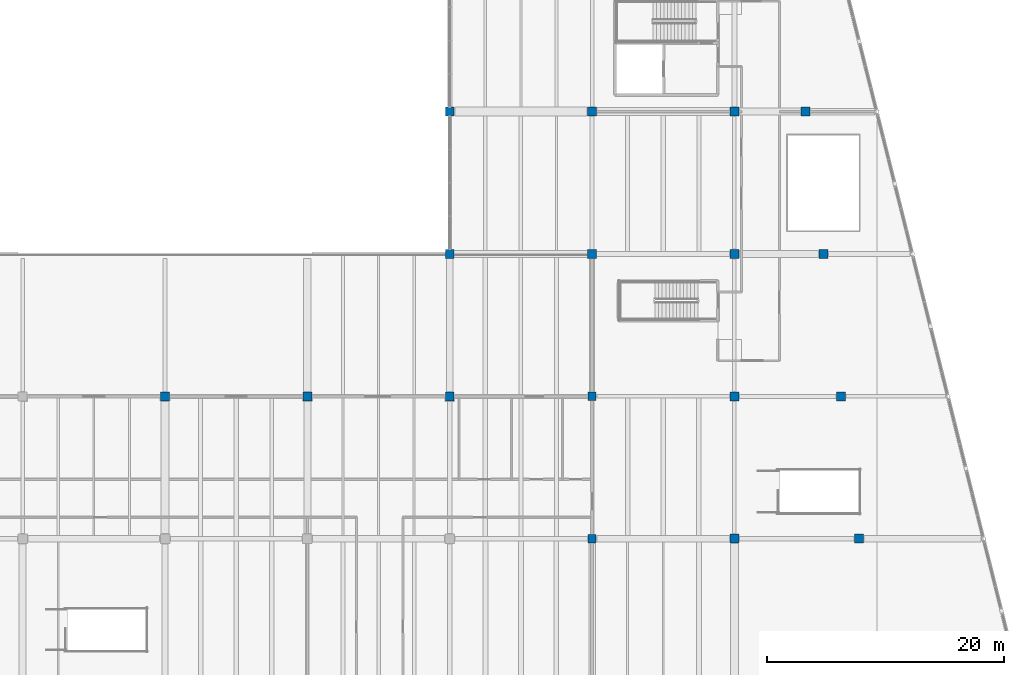
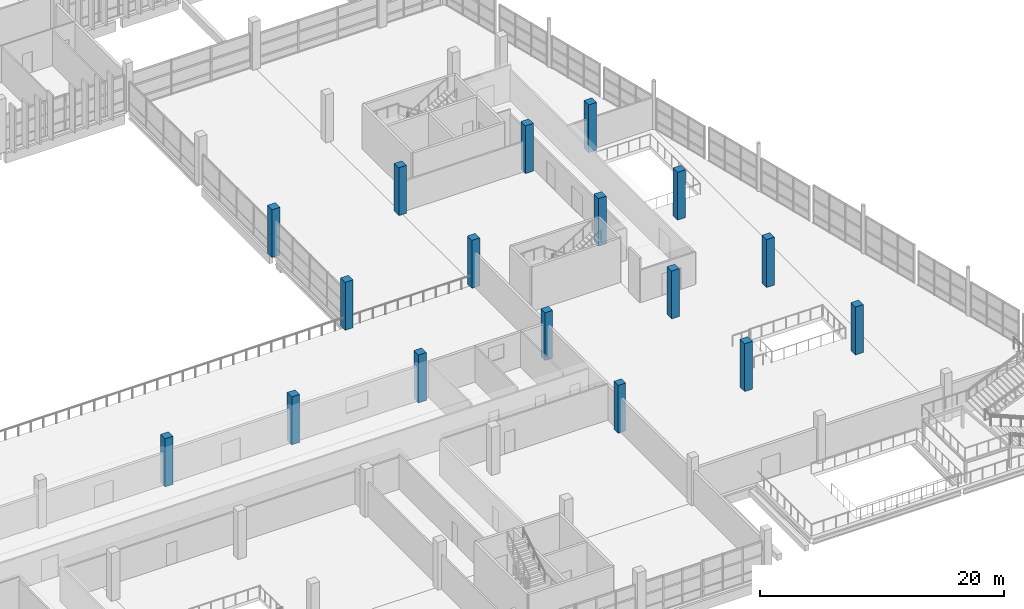
# One storey, part 9 of 112: 17 columns.
"""IFC4 building model written with IfcOpenShell, lengths in metres."""

from ifc_helpers import new_model, si_unit, direction, frame, origin, origin_2d, place, context, subcontext, project, spatial, rectangle, extrude, material, material_profile, profile_set, type_object, element, save


model = new_model("IFC4")

# Units and contexts
model_context = context("Model", 3, precision=1e-05, world=origin(), true_north=direction((0.0, 1.0)))
body_context = subcontext(model_context, "Body", "Model", "MODEL_VIEW")
ifc_project = project(units=[si_unit("LENGTHUNIT", "METRE"), si_unit("AREAUNIT", "SQUARE_METRE"), si_unit("VOLUMEUNIT", "CUBIC_METRE"), si_unit("PLANEANGLEUNIT", "RADIAN"), si_unit("MASSUNIT", "GRAM", prefix="KILO")], contexts=[model_context])

# Site, building, storey
site_placement = place(None, origin())
site = spatial("IfcSite", under=ifc_project, at=site_placement, CompositionType="ELEMENT")
building_placement = place(site_placement, origin())
building = spatial("IfcBuilding", under=site, at=building_placement, Name="Kamomehara Wholesale Market", CompositionType="ELEMENT")
storey_placement = place(building_placement, frame((0.0, 0.0, 6.60009765625)))
storey = spatial("IfcBuildingStorey", under=building, at=storey_placement, Name="L01", CompositionType="ELEMENT", Elevation=6.60009765625)

# Columns
ifc_material_1 = material(Name="Precast concrete Fc45 (C40/50)", Category="concrete")
ifc_material_profile_1 = material_profile(ifc_material_1, rectangle(XDim=0.699951171875, YDim=0.699951171875, at=origin_2d()), Name="PC-COL-700x700")
ifc_profile_set_1 = profile_set([ifc_material_profile_1], Name="Precast concrete Fc45 (C40/50)")
column_type_1 = type_object("IfcColumnType", Name="COL-PC700-EXT", PredefinedType="COLUMN", material=ifc_profile_set_1)
for number, where, z_axis, x_axis, name in (
    (1, (168.0, 36.0, 0.0), (0.0, 0.0, 1.0), (1.0, 0.0, 0.0), "Column C-05E L01"),
    (2, (168.0, 48.0, 0.0), (0.0, 0.0, 1.0), (1.0, 0.0, 0.0), "Column C-05E L01"),
):
    element("IfcColumn", number, at=place(storey_placement, frame(where, z_axis=z_axis, x_axis=x_axis)), inside=storey, type_object=column_type_1, Name=name, PredefinedType="COLUMN", context=body_context, shape_type="SweptSolid", body=[
        extrude(rectangle(XDim=0.699951171875, YDim=0.699951171875, at=origin_2d()), origin(), (0.0, 0.0, 1.0), 4.7998046875),
    ])
ifc_material_2 = material(Name="Precast concrete Fc45 (C40/50)", Category="concrete")
ifc_material_profile_2 = material_profile(ifc_material_2, rectangle(XDim=0.75, YDim=0.75, at=origin_2d()), Name="PC-COL-750x750")
ifc_profile_set_2 = profile_set([ifc_material_profile_2], Name="Precast concrete Fc45 (C40/50)")
column_type_2 = type_object("IfcColumnType", Name="COL-PC750", PredefinedType="COLUMN", material=ifc_profile_set_2)
for number, where, z_axis, x_axis, name in (
    (3, (180.0, 72.0, 0.0), (0.0, 0.0, 1.0), (1.0, 0.0, 0.0), "Column C-04 L01"),
    (4, (186.0, 72.0, 0.0), (0.0, 0.0, 1.0), (1.0, 0.0, 0.0), "Column C-04 L01"),
):
    element("IfcColumn", number, at=place(storey_placement, frame(where, z_axis=z_axis, x_axis=x_axis)), inside=storey, type_object=column_type_2, Name=name, PredefinedType="COLUMN", context=body_context, shape_type="SweptSolid", body=[
        extrude(rectangle(XDim=0.75, YDim=0.75, at=origin_2d()), origin(), (0.0, 0.0, 1.0), 4.7998046875),
    ])
ifc_material_3 = material(Name="Precast concrete Fc45 (C40/50)", Category="concrete")
ifc_material_profile_3 = material_profile(ifc_material_3, rectangle(XDim=0.75, YDim=0.75, at=origin_2d()), Name="PC-COL-750x750")
ifc_profile_set_3 = profile_set([ifc_material_profile_3], Name="Precast concrete Fc45 (C40/50)")
column_type_3 = type_object("IfcColumnType", Name="COL-PC750-EXT", PredefinedType="COLUMN", material=ifc_profile_set_3)
for number, where, z_axis, x_axis, name in (
    (5, (132.0, 48.0, 0.0), (0.0, 0.0, 1.0), (1.0, 0.0, 0.0), "Column C-04E L01"),
    (6, (144.0, 48.0, 0.0), (0.0, 0.0, 1.0), (1.0, 0.0, 0.0), "Column C-04E L01"),
    (7, (156.0, 48.0, 0.0), (0.0, 0.0, 1.0), (1.0, 0.0, 0.0), "Column C-04E L01"),
    (8, (156.0, 60.0, 0.0), (0.0, 0.0, 1.0), (1.0, 0.0, 0.0), "Column C-04E L01"),
    (9, (156.0, 72.0, 0.0), (0.0, 0.0, 1.0), (1.0, 0.0, 0.0), "Column C-04E L01"),
    (10, (168.0, 60.0, 0.0), (0.0, 0.0, 1.0), (1.0, 0.0, 0.0), "Column C-04E L01"),
    (11, (168.0, 72.0, 0.0), (0.0, 0.0, 1.0), (1.0, 0.0, 0.0), "Column C-04E L01"),
    (12, (180.0, 36.0, 0.0), (0.0, 0.0, 1.0), (1.0, 0.0, 0.0), "Column C-04E L01"),
    (13, (180.0, 48.0, 0.0), (0.0, 0.0, 1.0), (1.0, 0.0, 0.0), "Column C-04E L01"),
    (14, (180.0, 60.0, 0.0), (0.0, 0.0, 1.0), (1.0, 0.0, 0.0), "Column C-04E L01"),
    (15, (187.5, 60.0, 0.0), (0.0, 0.0, 1.0), (1.0, 0.0, 0.0), "Column C-04E L01"),
    (16, (189.0, 48.0, 0.0), (0.0, 0.0, 1.0), (1.0, 0.0, 0.0), "Column C-04E L01"),
    (17, (190.5, 36.0, 0.0), (0.0, 0.0, 1.0), (1.0, 0.0, 0.0), "Column C-04E L01"),
):
    element("IfcColumn", number, at=place(storey_placement, frame(where, z_axis=z_axis, x_axis=x_axis)), inside=storey, type_object=column_type_3, Name=name, PredefinedType="COLUMN", context=body_context, shape_type="SweptSolid", body=[
        extrude(rectangle(XDim=0.75, YDim=0.75, at=origin_2d()), origin(), (0.0, 0.0, 1.0), 4.7998046875),
    ])

save(model, "model.ifc")
